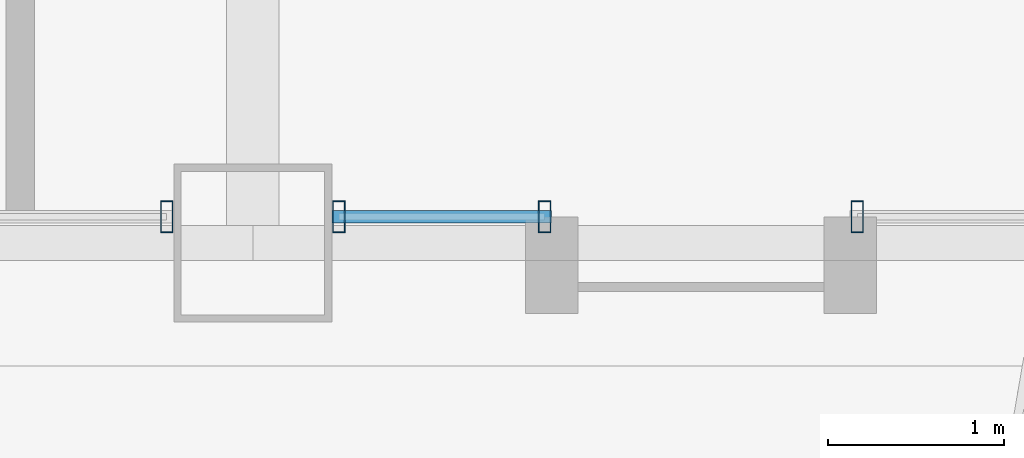
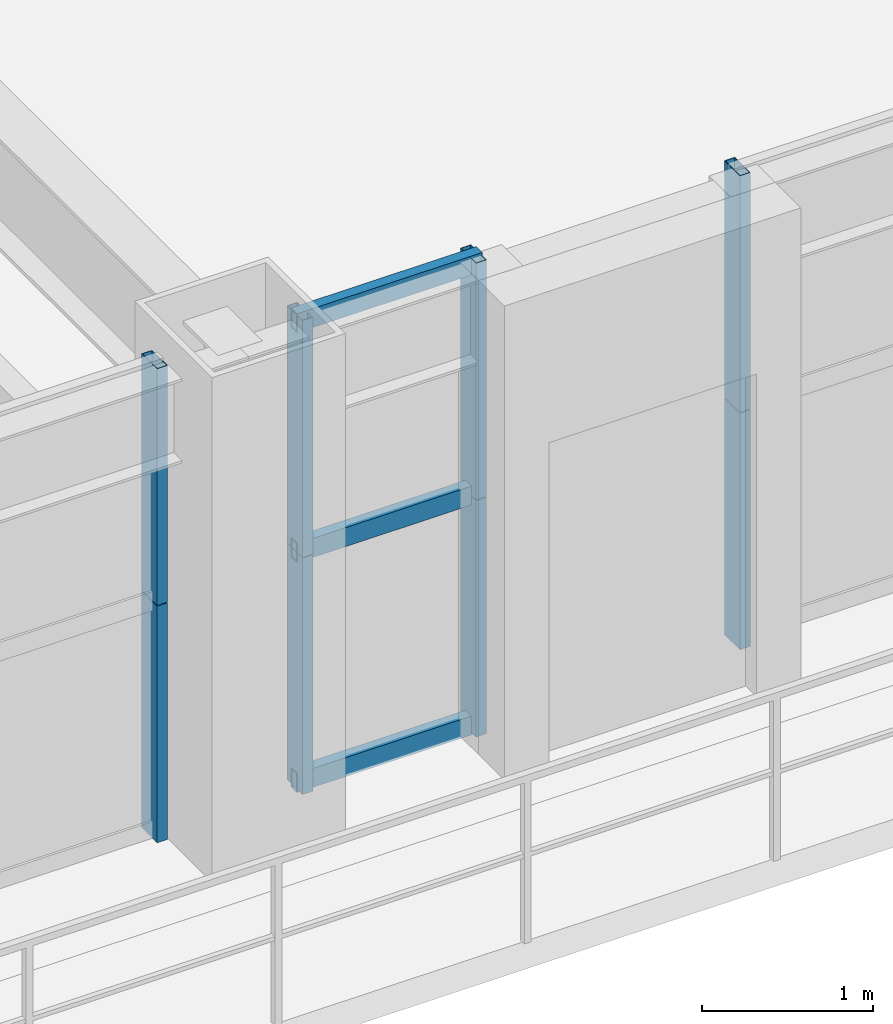
# One storey, part 11 of 46: 11 members, 3 elements without a shape of their own.
"""IFC4 building model written with IfcOpenShell, lengths in metres."""

from ifc_helpers import new_model, si_unit, direction, frame, origin, origin_2d, place, context, subcontext, project, spatial, hollow_rectangle, extrude, source, transform, mapped, material, layer, layer_set, material_profile, profile_set, type_object, element, aggregate, save


model = new_model("IFC4")

# Units and contexts
model_context = context("Model", 3, precision=1e-05, world=origin(), true_north=direction((0.0, 1.0)))
body_context = subcontext(model_context, "Body", "Model", "MODEL_VIEW")
ifc_project = project(units=[si_unit("LENGTHUNIT", "METRE"), si_unit("AREAUNIT", "SQUARE_METRE"), si_unit("VOLUMEUNIT", "CUBIC_METRE"), si_unit("PLANEANGLEUNIT", "RADIAN"), si_unit("MASSUNIT", "GRAM", prefix="KILO"), si_unit("THERMODYNAMICTEMPERATUREUNIT", "KELVIN"), si_unit("POWERUNIT", "WATT")], contexts=[model_context])

# Site, building, storey
site_placement = place(None, origin())
site = spatial("IfcSite", under=ifc_project, at=site_placement, CompositionType="ELEMENT")
building_placement = place(site_placement, origin())
building = spatial("IfcBuilding", under=site, at=building_placement, Name="Yuzanri Waterfront Tower", CompositionType="ELEMENT")
storey_placement = place(building_placement, frame((0.0, 0.0, 56.800048828125)))
storey = spatial("IfcBuildingStorey", under=building, at=storey_placement, Name="L14", CompositionType="ELEMENT", Elevation=56.800048828125)

# Curtain wall, members
ifc_material_1 = material(Name="Anodized Architectural Bronze", Category="metal")
ifc_layer = layer(ifc_material_1, 0.159912109375)
ifc_layer_set = layer_set([ifc_layer], Name="Anodized Architectural Bronze")
curtain_wall_type = type_object("IfcCurtainWallType", Name="Anodized Bronze Hotel Lower-Tier Recessed Unitized Curtain Wall 8100", PredefinedType="NOTDEFINED", material=ifc_layer_set)
curtain_wall_1_placement = place(storey_placement, origin())
curtain_wall_1 = element("IfcCurtainWall", 1, at=curtain_wall_1_placement, inside=storey, type_object=curtain_wall_type, Name="L14 Curtain Wall CW-L14-SL", PredefinedType="NOTDEFINED")
ifc_material_2 = material(Name="Anodized Architectural Bronze", Category="metal")
ifc_material_profile_1 = material_profile(ifc_material_2, hollow_rectangle(XDim=0.070068359375, YDim=0.179931640625, WallThickness=0.00390625, at=origin_2d()), Name="CWM 70x180")
ifc_profile_set_1 = profile_set([ifc_material_profile_1], Name="Anodized Architectural Bronze")
member_type_1 = type_object("IfcMemberType", Name="Anodized Bronze Standard Curtain-Wall Mullion 70x180", PredefinedType="MULLION", material=ifc_profile_set_1)
shared_shape_1 = source(origin(), body_context, "Body", "SweptSolid", [
    extrude(hollow_rectangle(XDim=0.070068359375, YDim=0.179931640625, WallThickness=0.00390625, at=origin_2d()), origin(), (0.0, 0.0, 1.0), 1.68798828125),
])
member_1_placement = place(storey_placement, frame((36.510009765625, 0.85009765625, 0.0), z_axis=(0.0, 0.0, 1.0), x_axis=(1.0, 0.0, 0.0)))
member_1 = element("IfcMember", 2, at=member_1_placement, type_object=member_type_1, Name="CW-L14-SL Lower Mullion 02", PredefinedType="MULLION", context=body_context, shape_type="MappedRepresentation", body=[
    mapped(shared_shape_1, transform((0.0, 0.0, 0.0), scale=1.0)),
])
member_2_placement = place(storey_placement, frame((36.510009765625, 0.85009765625, 1.69189453125), z_axis=(0.0, 0.0, 1.0), x_axis=(1.0, 0.0, 0.0)))
member_2 = element("IfcMember", 3, at=member_2_placement, type_object=member_type_1, Name="CW-L14-SL Upper Mullion 02", PredefinedType="MULLION", context=body_context, shape_type="MappedRepresentation", body=[
    mapped(shared_shape_1, transform((0.0, 0.0, 0.0), scale=1.0)),
])
aggregate(curtain_wall_1, [member_1, member_2])

curtain_wall_2_placement = place(storey_placement, origin())
curtain_wall_2 = element("IfcCurtainWall", 4, at=curtain_wall_2_placement, inside=storey, type_object=curtain_wall_type, Name="L14 Curtain Wall CW-L14-SR1", PredefinedType="NOTDEFINED")
member_3_placement = place(storey_placement, frame((37.489990234375, 0.85009765625, 0.0), z_axis=(0.0, 0.0, 1.0), x_axis=(1.0, 0.0, 0.0)))
member_3 = element("IfcMember", 5, at=member_3_placement, type_object=member_type_1, Name="CW-L14-SR1 Lower Mullion 00", PredefinedType="MULLION", context=body_context, shape_type="MappedRepresentation", body=[
    mapped(shared_shape_1, transform((0.0, 0.0, 0.0), scale=1.0)),
])
member_4_placement = place(storey_placement, frame((37.489990234375, 0.85009765625, 1.69189453125), z_axis=(0.0, 0.0, 1.0), x_axis=(1.0, 0.0, 0.0)))
member_4 = element("IfcMember", 6, at=member_4_placement, type_object=member_type_1, Name="CW-L14-SR1 Upper Mullion 00", PredefinedType="MULLION", context=body_context, shape_type="MappedRepresentation", body=[
    mapped(shared_shape_1, transform((0.0, 0.0, 0.0), scale=1.0)),
])
member_5_placement = place(storey_placement, frame((38.660888671875, 0.85009765625, 0.0), z_axis=(0.0, 0.0, 1.0), x_axis=(1.0, 0.0, 0.0)))
member_5 = element("IfcMember", 7, at=member_5_placement, type_object=member_type_1, Name="CW-L14-SR1 Lower Mullion 01", PredefinedType="MULLION", context=body_context, shape_type="MappedRepresentation", body=[
    mapped(shared_shape_1, transform((0.0, 0.0, 0.0), scale=1.0)),
])
member_6_placement = place(storey_placement, frame((38.660888671875, 0.85009765625, 1.69189453125), z_axis=(0.0, 0.0, 1.0), x_axis=(1.0, 0.0, 0.0)))
member_6 = element("IfcMember", 8, at=member_6_placement, type_object=member_type_1, Name="CW-L14-SR1 Upper Mullion 01", PredefinedType="MULLION", context=body_context, shape_type="MappedRepresentation", body=[
    mapped(shared_shape_1, transform((0.0, 0.0, 0.0), scale=1.0)),
])

curtain_wall_3_placement = place(storey_placement, origin())
curtain_wall_3 = element("IfcCurtainWall", 9, at=curtain_wall_3_placement, inside=storey, type_object=curtain_wall_type, Name="L14 Curtain Wall CW-L14-SR2", PredefinedType="NOTDEFINED")
member_7_placement = place(storey_placement, frame((40.44091796875, 0.85009765625, 0.0), z_axis=(0.0, 0.0, 1.0), x_axis=(1.0, 0.0, 0.0)))
member_7 = element("IfcMember", 10, at=member_7_placement, type_object=member_type_1, Name="CW-L14-SR2 Lower Mullion 00", PredefinedType="MULLION", context=body_context, shape_type="MappedRepresentation", body=[
    mapped(shared_shape_1, transform((0.0, 0.0, 0.0), scale=1.0)),
])
member_8_placement = place(storey_placement, frame((40.44091796875, 0.85009765625, 1.69189453125), z_axis=(0.0, 0.0, 1.0), x_axis=(1.0, 0.0, 0.0)))
member_8 = element("IfcMember", 11, at=member_8_placement, type_object=member_type_1, Name="CW-L14-SR2 Upper Mullion 00", PredefinedType="MULLION", context=body_context, shape_type="MappedRepresentation", body=[
    mapped(shared_shape_1, transform((0.0, 0.0, 0.0), scale=1.0)),
])
aggregate(curtain_wall_3, [member_7, member_8])

# Member
ifc_material_3 = material(Name="Anodized Architectural Bronze", Category="metal")
ifc_material_profile_2 = material_profile(ifc_material_3, hollow_rectangle(XDim=0.070068359375, YDim=0.135009765625, WallThickness=0.00341796875, at=origin_2d()), Name="CWT 70x135")
ifc_profile_set_2 = profile_set([ifc_material_profile_2], Name="Anodized Architectural Bronze")
member_type_2 = type_object("IfcMemberType", Name="Anodized Bronze Standard Curtain-Wall Transom 70x135", PredefinedType="USERDEFINED", material=ifc_profile_set_2)
shared_shape_2 = source(origin(), body_context, "Body", "SweptSolid", [
    extrude(hollow_rectangle(XDim=0.070068359375, YDim=0.135009765625, WallThickness=0.00341796875, at=origin_2d()), origin(), (0.0, 0.0, 1.0), 1.2509765625),
])
member_9_placement = place(storey_placement, frame((37.449951171875, 0.85009765625, 0.050048828125), z_axis=(1.0, 0.0, 0.0), x_axis=(0.0, 1.0, 0.0)))
member_9 = element("IfcMember", 12, at=member_9_placement, type_object=member_type_2, Name="CW-L14-SR1 Transom 1", ObjectType="TRANSOM", PredefinedType="USERDEFINED", context=body_context, shape_type="MappedRepresentation", body=[
    mapped(shared_shape_2, transform((0.0, 0.0, 0.0), scale=1.0)),
])

member_10_placement = place(storey_placement, frame((37.449951171875, 0.85009765625, 1.68994140625), z_axis=(1.0, 0.0, 0.0), x_axis=(0.0, 1.0, 0.0)))
member_10 = element("IfcMember", 13, at=member_10_placement, type_object=member_type_2, Name="CW-L14-SR1 Transom 2", ObjectType="TRANSOM", PredefinedType="USERDEFINED", context=body_context, shape_type="MappedRepresentation", body=[
    mapped(shared_shape_2, transform((0.0, 0.0, 0.0), scale=1.0)),
])

member_11_placement = place(storey_placement, frame((37.449951171875, 0.85009765625, 3.329833984375), z_axis=(1.0, 0.0, 0.0), x_axis=(0.0, 1.0, 0.0)))
member_11 = element("IfcMember", 14, at=member_11_placement, type_object=member_type_2, Name="CW-L14-SR1 Transom 3", ObjectType="TRANSOM", PredefinedType="USERDEFINED", context=body_context, shape_type="MappedRepresentation", body=[
    mapped(shared_shape_2, transform((0.0, 0.0, 0.0), scale=1.0)),
])

aggregate(curtain_wall_2, [member_3, member_4, member_5, member_6, member_9, member_10, member_11])

save(model, "model.ifc")
